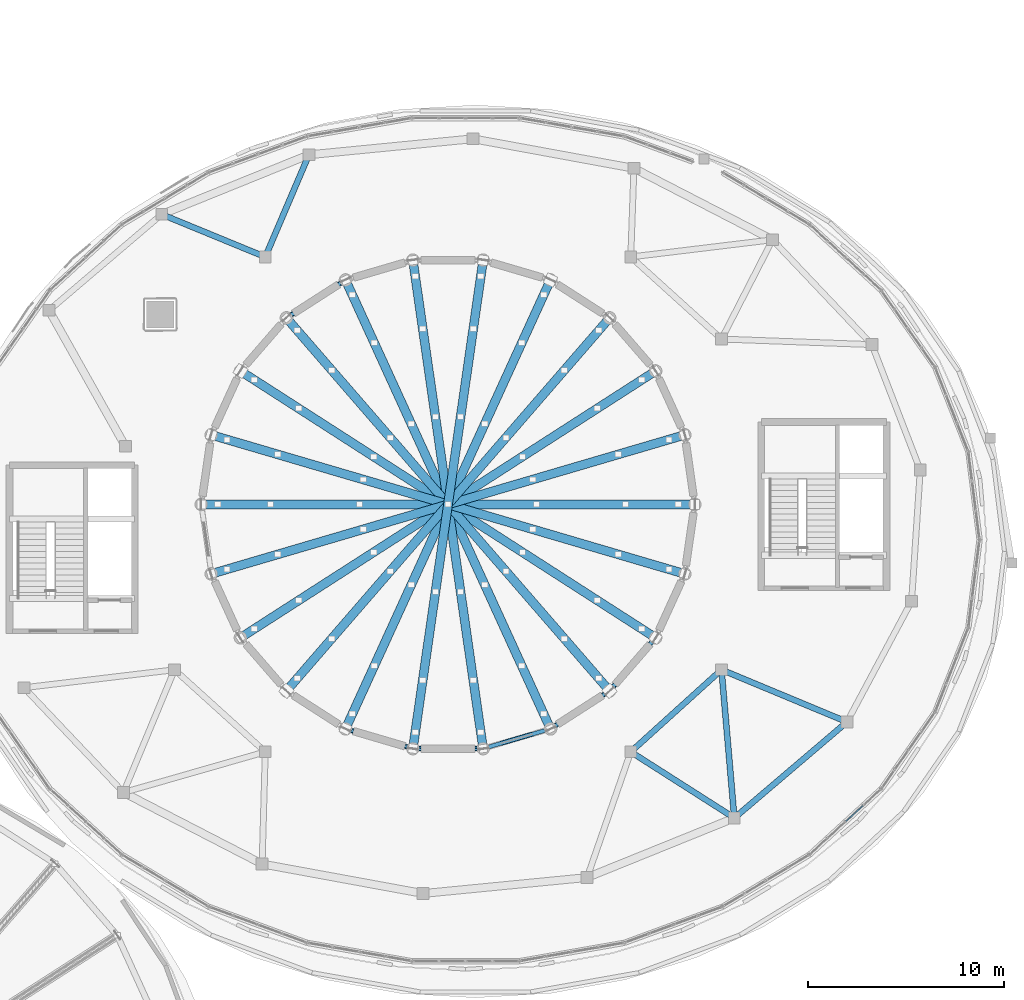
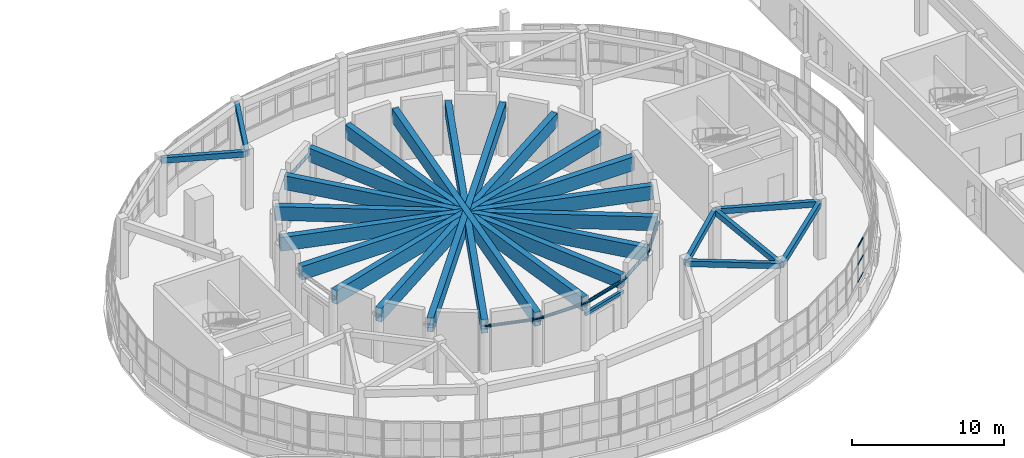
# One storey, part 23 of 69: 25 beams, 3 members, 1 element without a shape of its own.
"""IFC4 building model written with IfcOpenShell, lengths in metres."""

from ifc_helpers import new_model, si_unit, direction, frame, origin, origin_2d, place, context, subcontext, project, spatial, rectangle, hollow_rectangle, hollow_circle, extrude, material, layer, layer_set, material_profile, profile_set, type_object, element, aggregate, save


model = new_model("IFC4")

# Units and contexts
model_context = context("Model", 3, precision=1e-05, world=origin(), true_north=direction((0.0, 1.0)))
body_context = subcontext(model_context, "Body", "Model", "MODEL_VIEW")
ifc_project = project(units=[si_unit("LENGTHUNIT", "METRE"), si_unit("AREAUNIT", "SQUARE_METRE"), si_unit("VOLUMEUNIT", "CUBIC_METRE"), si_unit("PLANEANGLEUNIT", "RADIAN"), si_unit("MASSUNIT", "GRAM", prefix="KILO")], contexts=[model_context])

# Site, building, storey
site_placement = place(None, origin())
site = spatial("IfcSite", under=ifc_project, at=site_placement, CompositionType="ELEMENT")
building_placement = place(site_placement, origin())
building = spatial("IfcBuilding", under=site, at=building_placement, Name="Pelvatis Terrace Science Centre", CompositionType="ELEMENT")
storey_placement = place(building_placement, frame((0.0, 0.0, 15.0)))
storey = spatial("IfcBuildingStorey", under=building, at=storey_placement, Name="L03", CompositionType="ELEMENT", Elevation=15.0)

# Beams
ifc_material_1 = material(Name="Structural steel S355", Category="steel")
ifc_material_profile_1 = material_profile(ifc_material_1, hollow_circle(Radius=0.122314453125, WallThickness=0.010009765625, at=origin_2d()), Name="CHS 244.5x10.0")
ifc_profile_set_1 = profile_set([ifc_material_profile_1], Name="Structural steel S355")
beam_type_1 = type_object("IfcBeamType", Name="BM-HOOP-CHS244", PredefinedType="BEAM", material=ifc_profile_set_1)
beam_1_placement = place(storey_placement, frame((103.9658203125, 97.261474609375, 3.60009765625), z_axis=(-0.841253667692, -0.540640607607, 0.0), x_axis=(0.540640607607, -0.841253667692, 0.0)))
element("IfcBeam", 1, at=beam_1_placement, inside=storey, type_object=beam_type_1, Name="Planetarium dome hoop ring 1.08", PredefinedType="BEAM", context=body_context, shape_type="SweptSolid", body=[
    extrude(hollow_circle(Radius=0.122314453125, WallThickness=0.010009765625, at=origin_2d()), origin(), (0.0, 0.0, 1.0), 3.58642578125),
])
beam_2_placement = place(storey_placement, frame((103.9658203125, 74.338623046875, 3.60009765625), z_axis=(0.959481412085, -0.281771928808, 0.0), x_axis=(0.281771928808, 0.959481412085, 0.0)))
element("IfcBeam", 2, at=beam_2_placement, inside=storey, type_object=beam_type_1, Name="Planetarium dome hoop ring 1.16", PredefinedType="BEAM", context=body_context, shape_type="SweptSolid", body=[
    extrude(hollow_circle(Radius=0.122314453125, WallThickness=0.010009765625, at=origin_2d()), origin(), (0.0, 0.0, 1.0), 3.586181640625),
])
beam_3_placement = place(storey_placement, frame((107.40673828125, 73.328125, 3.60009765625), z_axis=(1.0, 0.0, 0.0), x_axis=(0.0, 1.0, 0.0)))
element("IfcBeam", 3, at=beam_3_placement, inside=storey, type_object=beam_type_1, Name="Planetarium dome hoop ring 1.17", PredefinedType="BEAM", context=body_context, shape_type="SweptSolid", body=[
    extrude(hollow_circle(Radius=0.122314453125, WallThickness=0.010009765625, at=origin_2d()), origin(), (0.0, 0.0, 1.0), 3.58642578125),
])
beam_4_placement = place(storey_placement, frame((110.9931640625, 73.328125, 3.60009765625), z_axis=(0.959481412085, 0.281771928808, 0.0), x_axis=(-0.281771928808, 0.959481412085, 0.0)))
element("IfcBeam", 4, at=beam_4_placement, inside=storey, type_object=beam_type_1, Name="Planetarium dome hoop ring 1.18", PredefinedType="BEAM", context=body_context, shape_type="SweptSolid", body=[
    extrude(hollow_circle(Radius=0.122314453125, WallThickness=0.010009765625, at=origin_2d()), origin(), (0.0, 0.0, 1.0), 3.586181640625),
])
beam_5_placement = place(storey_placement, frame((114.43408203125, 74.338623046875, 3.60009765625), z_axis=(0.841253667692, 0.540640607607, 0.0), x_axis=(-0.540640607607, 0.841253667692, 0.0)))
element("IfcBeam", 5, at=beam_5_placement, inside=storey, type_object=beam_type_1, Name="Planetarium dome hoop ring 1.19", PredefinedType="BEAM", context=body_context, shape_type="SweptSolid", body=[
    extrude(hollow_circle(Radius=0.122314453125, WallThickness=0.010009765625, at=origin_2d()), origin(), (0.0, 0.0, 1.0), 3.58642578125),
])
beam_6_placement = place(storey_placement, frame((117.451171875, 76.277587890625, 3.60009765625), z_axis=(0.654896845036, 0.755718282406, 0.0), x_axis=(-0.755718282406, 0.654896845036, 0.0)))
element("IfcBeam", 6, at=beam_6_placement, inside=storey, type_object=beam_type_1, Name="Planetarium dome hoop ring 1.20", PredefinedType="BEAM", context=body_context, shape_type="SweptSolid", body=[
    extrude(hollow_circle(Radius=0.122314453125, WallThickness=0.010009765625, at=origin_2d()), origin(), (0.0, 0.0, 1.0), 3.586181640625),
])
ifc_material_2 = material(Name="Concrete C35/45", Category="concrete")
ifc_material_profile_2 = material_profile(ifc_material_2, rectangle(XDim=0.300048828125, YDim=0.449951171875, at=origin_2d()), Name="RC-BM 300x450")
ifc_profile_set_2 = profile_set([ifc_material_profile_2], Name="Concrete C35/45")
beam_type_2 = type_object("IfcBeamType", Name="BM-RC-300x450", PredefinedType="BEAM", material=ifc_profile_set_2)
beam_7_placement = place(storey_placement, frame((102.095458984375, 103.65673828125, 4.324951171875), z_axis=(-0.392802627851, -0.919622800692, 0.0), x_axis=(0.919622800692, -0.392802627851, 0.0)))
element("IfcBeam", 7, at=beam_7_placement, inside=storey, type_object=beam_type_2, Name="Beam BM-L03-3020", PredefinedType="BEAM", context=body_context, shape_type="SweptSolid", body=[
    extrude(rectangle(XDim=0.300048828125, YDim=0.449951171875, at=origin_2d()), origin(), (0.0, 0.0, 1.0), 5.674560546875),
])
beam_8_placement = place(storey_placement, frame((94.575927734375, 100.61376953125, 4.324951171875), z_axis=(0.924857425054, -0.380314006214, 0.0), x_axis=(0.380314006214, 0.924857425054, 0.0)))
element("IfcBeam", 8, at=beam_8_placement, inside=storey, type_object=beam_type_2, Name="Beam BM-L03-3022", PredefinedType="BEAM", context=body_context, shape_type="SweptSolid", body=[
    extrude(rectangle(XDim=0.300048828125, YDim=0.449951171875, at=origin_2d()), origin(), (0.0, 0.0, 1.0), 5.720458984375),
])
beam_9_placement = place(storey_placement, frame((123.82421875, 69.786376953125, 4.324951171875), z_axis=(0.761283967921, 0.648418630351, 0.0), x_axis=(-0.648418630351, 0.761283967921, 0.0)))
element("IfcBeam", 9, at=beam_9_placement, inside=storey, type_object=beam_type_2, Name="Beam BM-L03-3034", PredefinedType="BEAM", context=body_context, shape_type="SweptSolid", body=[
    extrude(rectangle(XDim=0.300048828125, YDim=0.449951171875, at=origin_2d()), origin(), (0.0, 0.0, 1.0), 7.56005859375),
])
beam_10_placement = place(storey_placement, frame((123.82421875, 69.786376953125, 4.324951171875), z_axis=(-0.843044192258, 0.537844298937, 0.0), x_axis=(-0.537844298937, -0.843044192258, 0.0)))
element("IfcBeam", 10, at=beam_10_placement, inside=storey, type_object=beam_type_2, Name="Beam BM-L03-3035", PredefinedType="BEAM", context=body_context, shape_type="SweptSolid", body=[
    extrude(rectangle(XDim=0.300048828125, YDim=0.449951171875, at=origin_2d()), origin(), (0.0, 0.0, 1.0), 6.275390625),
])
beam_11_placement = place(storey_placement, frame((123.82421875, 69.786376953125, 4.324951171875), z_axis=(-0.086284318335, 0.99627055382, 0.0), x_axis=(-0.99627055382, -0.086284318335, 0.0)))
element("IfcBeam", 11, at=beam_11_placement, inside=storey, type_object=beam_type_2, Name="Beam BM-L03-3036", PredefinedType="BEAM", context=body_context, shape_type="SweptSolid", body=[
    extrude(rectangle(XDim=0.300048828125, YDim=0.449951171875, at=origin_2d()), origin(), (0.0, 0.0, 1.0), 7.59716796875),
])
beam_12_placement = place(storey_placement, frame((129.57958984375, 74.6884765625, 4.324951171875), z_axis=(-0.923304582387, 0.384068546152, 0.0), x_axis=(-0.384068546152, -0.923304582387, 0.0)))
element("IfcBeam", 12, at=beam_12_placement, inside=storey, type_object=beam_type_2, Name="Beam BM-L03-3038", PredefinedType="BEAM", context=body_context, shape_type="SweptSolid", body=[
    extrude(rectangle(XDim=0.300048828125, YDim=0.449951171875, at=origin_2d()), origin(), (0.0, 0.0, 1.0), 6.943359375),
])
beam_13_placement = place(storey_placement, frame((118.53369140625, 73.16162109375, 4.324951171875), z_axis=(0.741533928448, 0.670915369447, 0.0), x_axis=(-0.670915369447, 0.741533928448, 0.0)))
element("IfcBeam", 13, at=beam_13_placement, inside=storey, type_object=beam_type_2, Name="Beam BM-L03-3041", PredefinedType="BEAM", context=body_context, shape_type="SweptSolid", body=[
    extrude(rectangle(XDim=0.300048828125, YDim=0.449951171875, at=origin_2d()), origin(), (0.0, 0.0, 1.0), 6.25048828125),
])
ifc_material_3 = material(Name="Structural steel S355", Category="steel")
ifc_material_profile_3 = material_profile(ifc_material_3, hollow_rectangle(XDim=0.449951171875, YDim=1.10009765625, WallThickness=0.02197265625, at=origin_2d()), Name="RHS 1100x450x22.0")
ifc_profile_set_3 = profile_set([ifc_material_profile_3], Name="Structural steel S355")
beam_type_3 = type_object("IfcBeamType", Name="BM-STL-BOX1100", PredefinedType="BEAM", material=ifc_profile_set_3)
for number, where, z_axis, x_axis, name in (
    (14, (121.800048828125, 85.800048828125, 3.60009765625), (-1.0, 0.0, 0.0), (0.0, -1.0, 0.0), "Planetarium dome diametral tie 01"),
    (15, (121.28955078125, 89.349853515625, 3.60009765625), (-0.959493446607, -0.281730945973, 0.0), (0.281730945973, -0.959493446607, 0.0), "Planetarium dome diametral tie 02"),
):
    element("IfcBeam", number, at=place(storey_placement, frame(where, z_axis=z_axis, x_axis=x_axis)), inside=storey, type_object=beam_type_3, Name=name, PredefinedType="BEAM", context=body_context, shape_type="SweptSolid", body=[
        extrude(hollow_rectangle(XDim=0.449951171875, YDim=1.10009765625, WallThickness=0.02197265625, at=origin_2d()), origin(), (0.0, 0.0, 1.0), 25.199951171875),
    ])
beam_14_placement = place(storey_placement, frame((119.7998046875, 92.612060546875, 3.60009765625), z_axis=(-0.841252754202, -0.540642029024, 0.0), x_axis=(0.540642029024, -0.841252754202, 0.0)))
element("IfcBeam", 16, at=beam_14_placement, inside=storey, type_object=beam_type_3, Name="Planetarium dome diametral tie 03", PredefinedType="BEAM", context=body_context, shape_type="SweptSolid", body=[
    extrude(hollow_rectangle(XDim=0.449951171875, YDim=1.10009765625, WallThickness=0.02197265625, at=origin_2d()), origin(), (0.0, 0.0, 1.0), 25.2001953125),
])
for number, where, z_axis, x_axis, name in (
    (17, (117.451171875, 95.322509765625, 3.60009765625), (-0.654858981071, -0.755751093225, 0.0), (0.755751093225, -0.654858981071, 0.0), "Planetarium dome diametral tie 04"),
    (18, (114.43408203125, 97.261474609375, 3.60009765625), (-0.415406678862, -0.909635801383, 0.0), (0.909635801383, -0.415406678862, 0.0), "Planetarium dome diametral tie 05"),
):
    element("IfcBeam", number, at=place(storey_placement, frame(where, z_axis=z_axis, x_axis=x_axis)), inside=storey, type_object=beam_type_3, Name=name, PredefinedType="BEAM", context=body_context, shape_type="SweptSolid", body=[
        extrude(hollow_rectangle(XDim=0.449951171875, YDim=1.10009765625, WallThickness=0.02197265625, at=origin_2d()), origin(), (0.0, 0.0, 1.0), 25.199951171875),
    ])
for number, where, z_axis, x_axis, name in (
    (19, (110.9931640625, 98.271728515625, 3.60009765625), (-0.142317832772, -0.989821011332, 0.0), (0.989821011332, -0.142317832772, 0.0), "Planetarium dome diametral tie 06"),
    (20, (107.40673828125, 98.271728515625, 3.60009765625), (0.142317832772, -0.989821011332, 0.0), (0.989821011332, 0.142317832772, 0.0), "Planetarium dome diametral tie 07"),
):
    element("IfcBeam", number, at=place(storey_placement, frame(where, z_axis=z_axis, x_axis=x_axis)), inside=storey, type_object=beam_type_3, Name=name, PredefinedType="BEAM", context=body_context, shape_type="SweptSolid", body=[
        extrude(hollow_rectangle(XDim=0.449951171875, YDim=1.10009765625, WallThickness=0.02197265625, at=origin_2d()), origin(), (0.0, 0.0, 1.0), 25.2001953125),
    ])
for number, where, z_axis, x_axis, name in (
    (21, (103.9658203125, 97.261474609375, 3.60009765625), (0.415406678862, -0.909635801383, 0.0), (0.909635801383, 0.415406678862, 0.0), "Planetarium dome diametral tie 08"),
    (22, (100.94873046875, 95.322509765625, 3.60009765625), (0.654858981071, -0.755751093225, 0.0), (0.755751093225, 0.654858981071, 0.0), "Planetarium dome diametral tie 09"),
):
    element("IfcBeam", number, at=place(storey_placement, frame(where, z_axis=z_axis, x_axis=x_axis)), inside=storey, type_object=beam_type_3, Name=name, PredefinedType="BEAM", context=body_context, shape_type="SweptSolid", body=[
        extrude(hollow_rectangle(XDim=0.449951171875, YDim=1.10009765625, WallThickness=0.02197265625, at=origin_2d()), origin(), (0.0, 0.0, 1.0), 25.199951171875),
    ])
beam_15_placement = place(storey_placement, frame((98.60009765625, 92.612060546875, 3.60009765625), z_axis=(0.841252754202, -0.540642029024, 0.0), x_axis=(0.540642029024, 0.841252754202, 0.0)))
element("IfcBeam", 23, at=beam_15_placement, inside=storey, type_object=beam_type_3, Name="Planetarium dome diametral tie 10", PredefinedType="BEAM", context=body_context, shape_type="SweptSolid", body=[
    extrude(hollow_rectangle(XDim=0.449951171875, YDim=1.10009765625, WallThickness=0.02197265625, at=origin_2d()), origin(), (0.0, 0.0, 1.0), 25.2001953125),
])
beam_16_placement = place(storey_placement, frame((97.1103515625, 89.349853515625, 3.60009765625), z_axis=(0.959493446607, -0.281730945973, 0.0), x_axis=(0.281730945973, 0.959493446607, 0.0)))
element("IfcBeam", 24, at=beam_16_placement, inside=storey, type_object=beam_type_3, Name="Planetarium dome diametral tie 11", PredefinedType="BEAM", context=body_context, shape_type="SweptSolid", body=[
    extrude(hollow_rectangle(XDim=0.449951171875, YDim=1.10009765625, WallThickness=0.02197265625, at=origin_2d()), origin(), (0.0, 0.0, 1.0), 25.199951171875),
])

# Curtain wall, members
ifc_material_4 = material(Name="Bronze-anodised aluminium and laminated glass", Category="aluminium")
ifc_layer = layer(ifc_material_4, 0.179931640625)
ifc_layer_set = layer_set([ifc_layer], Name="Bronze-anodised aluminium and laminated glass")
curtain_wall_type = type_object("IfcCurtainWallType", Name="CW-RIBBON-A", PredefinedType="NOTDEFINED", material=ifc_layer_set)
curtain_wall_placement = place(storey_placement, origin())
curtain_wall = element("IfcCurtainWall", 25, at=curtain_wall_placement, inside=storey, type_object=curtain_wall_type, Name="Ribbon curtain wall CW-209 (L03)", PredefinedType="NOTDEFINED")
ifc_material_5 = material(Name="Bronze-anodised aluminium 6063-T6", Category="aluminium")
ifc_material_profile_4 = material_profile(ifc_material_5, hollow_rectangle(XDim=0.06005859375, YDim=0.139892578125, WallThickness=0.00390625, at=origin_2d()), Name="ALU-TRN 60x140")
ifc_profile_set_4 = profile_set([ifc_material_profile_4], Name="Bronze-anodised aluminium 6063-T6")
member_type = type_object("IfcMemberType", Name="CWT-60x140", PredefinedType="USERDEFINED", material=ifc_profile_set_4)
member_1_placement = place(storey_placement, frame((129.522705078125, 69.61279296875, 1.050048828125), z_axis=(0.737333698519, 0.675528694452, 0.0), x_axis=(-0.675528694452, 0.737333698519, 0.0)))
member_1 = element("IfcMember", 26, at=member_1_placement, type_object=member_type, Name="CW-209 transom 3.1", ObjectType="TRANSOM", PredefinedType="USERDEFINED", context=body_context, shape_type="SweptSolid", body=[
    extrude(hollow_rectangle(XDim=0.06005859375, YDim=0.139892578125, WallThickness=0.00390625, at=origin_2d()), origin(), (0.0, 0.0, 1.0), 1.18505859375),
])
member_2_placement = place(storey_placement, frame((129.522705078125, 69.61279296875, 2.445068359375), z_axis=(0.737333698519, 0.675528694452, 0.0), x_axis=(-0.675528694452, 0.737333698519, 0.0)))
member_2 = element("IfcMember", 27, at=member_2_placement, type_object=member_type, Name="CW-209 transom 3.2", ObjectType="TRANSOM", PredefinedType="USERDEFINED", context=body_context, shape_type="SweptSolid", body=[
    extrude(hollow_rectangle(XDim=0.06005859375, YDim=0.139892578125, WallThickness=0.00390625, at=origin_2d()), origin(), (0.0, 0.0, 1.0), 1.18505859375),
])
member_3_placement = place(storey_placement, frame((129.522705078125, 69.61279296875, 3.840087890625), z_axis=(0.737333698519, 0.675528694452, 0.0), x_axis=(-0.675528694452, 0.737333698519, 0.0)))
member_3 = element("IfcMember", 28, at=member_3_placement, type_object=member_type, Name="CW-209 transom 3.3", ObjectType="TRANSOM", PredefinedType="USERDEFINED", context=body_context, shape_type="SweptSolid", body=[
    extrude(hollow_rectangle(XDim=0.06005859375, YDim=0.139892578125, WallThickness=0.00390625, at=origin_2d()), origin(), (0.0, 0.0, 1.0), 1.18505859375),
])
aggregate(curtain_wall, [member_1, member_2, member_3])

# Beam
ifc_material_6 = material(Name="Concrete C35/45", Category="concrete")
ifc_material_profile_5 = material_profile(ifc_material_6, rectangle(XDim=0.199951171875, YDim=0.260009765625, at=origin_2d()), Name="RC-LNT 200x260")
ifc_profile_set_5 = profile_set([ifc_material_profile_5], Name="Concrete C35/45")
beam_type_4 = type_object("IfcBeamType", Name="LNT-RC-200x260", PredefinedType="LINTEL", material=ifc_profile_set_5)
beam_17_placement = place(storey_placement, frame((110.9931640625, 73.328125, 2.75), z_axis=(0.959481412085, 0.281771928808, 0.0), x_axis=(-0.281771928808, 0.959481412085, 0.0)))
element("IfcBeam", 29, at=beam_17_placement, inside=storey, type_object=beam_type_4, Name="Planetarium portal structural lintel 18 (L03)", PredefinedType="LINTEL", context=body_context, shape_type="SweptSolid", body=[
    extrude(rectangle(XDim=0.199951171875, YDim=0.260009765625, at=origin_2d()), origin(), (0.0, 0.0, 1.0), 3.586181640625),
])

save(model, "model.ifc")
